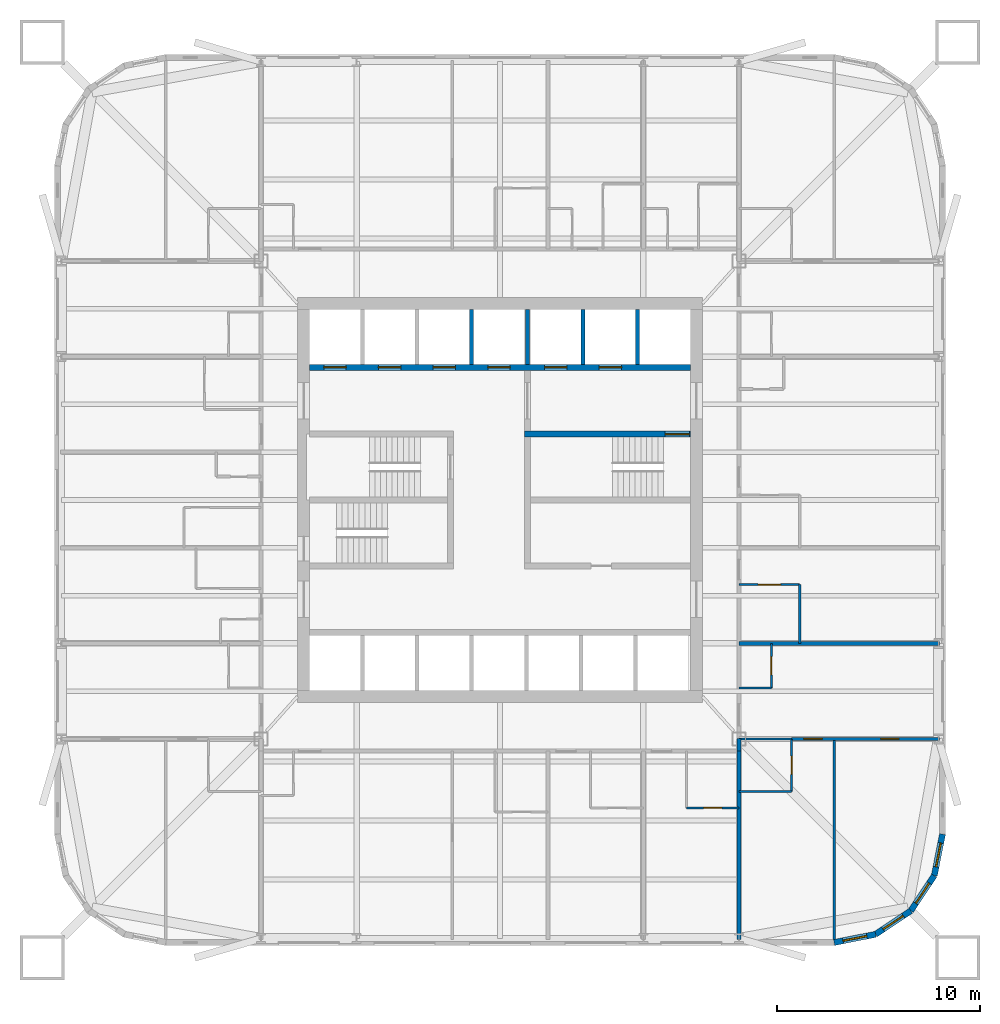
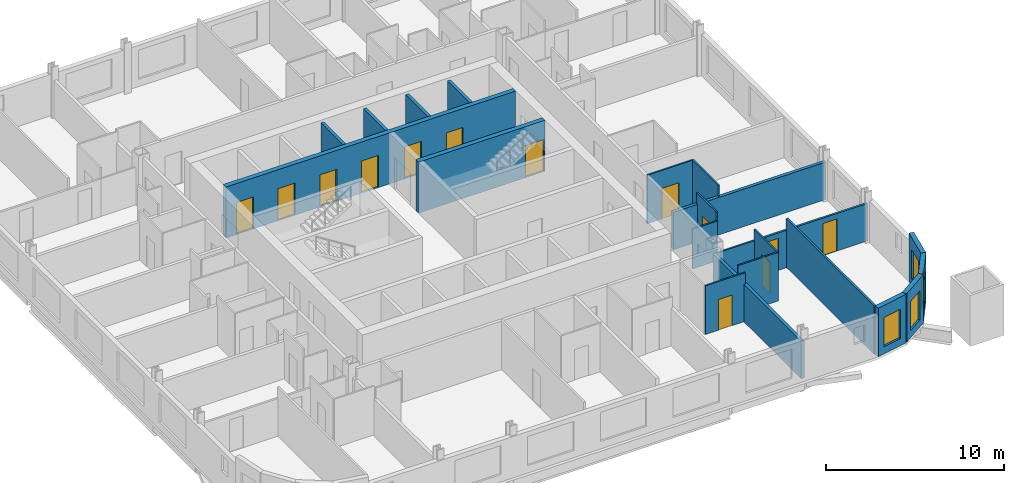
# One storey, part 5 of 9: 23 walls, 13 doors, 4 windows, 17 openings.
"""IFC4 building model written with IfcOpenShell, lengths in metres."""

from ifc_helpers import new_model, si_unit, direction, frame, frame_2d, origin, place, context, subcontext, project, spatial, rectangle, extrude, material, layer, layer_set, type_object, element, fill, save


model = new_model("IFC4")

# Units and contexts
model_context = context("Model", 3, precision=1e-05, world=origin(), true_north=direction((0.0, 1.0)))
body_context = subcontext(model_context, "Body", "Model", "MODEL_VIEW")
ifc_project = project(units=[si_unit("LENGTHUNIT", "METRE"), si_unit("AREAUNIT", "SQUARE_METRE"), si_unit("VOLUMEUNIT", "CUBIC_METRE"), si_unit("PLANEANGLEUNIT", "RADIAN"), si_unit("MASSUNIT", "GRAM", prefix="KILO")], contexts=[model_context])

# Site, building, storey
site_placement = place(None, origin())
site = spatial("IfcSite", under=ifc_project, at=site_placement, CompositionType="ELEMENT")
building_placement = place(site_placement, origin())
building = spatial("IfcBuilding", under=site, at=building_placement, Name="Turquesa Mirador Hotel Tower", CompositionType="ELEMENT")
storey_placement = place(building_placement, frame((0.0, 0.0, 35.5)))
storey = spatial("IfcBuildingStorey", under=building, at=storey_placement, Name="L08", CompositionType="ELEMENT", Elevation=35.5)

# Walls
ifc_material_1 = material(Name="Gypsum board on steel studs", Category="steel")
ifc_layer_1 = layer(ifc_material_1, 0.10009765625)
ifc_layer_set_1 = layer_set([ifc_layer_1], Name="BATHROOM WALL 100")
wall_type_1 = type_object("IfcWallType", Name="BATHROOM WALL 100", PredefinedType="PARTITIONING", material=ifc_layer_set_1)
wall_1_placement = place(storey_placement, frame((66.800048828125, 33.199951171875, 0.0), z_axis=(0.0, 0.0, 1.0), x_axis=(1.0, 0.0, 0.0)))
element("IfcWall", 1, at=wall_1_placement, inside=storey, type_object=wall_type_1, Name="Partition L08 003", PredefinedType="PARTITIONING", context=body_context, shape_type="SweptSolid", body=[
    extrude(rectangle(XDim=2.599853515625, YDim=0.10009765625, at=frame_2d((1.2998046875, 0.0))), origin(), (0.0, 0.0, 1.0), 2.572998046875),
])
wall_2_placement = place(storey_placement, frame((66.800048828125, 30.60009765625, 0.0), z_axis=(0.0, 0.0, 1.0), x_axis=(1.0, 0.0, 0.0)))
element("IfcWall", 2, at=wall_2_placement, inside=storey, type_object=wall_type_1, Name="Partition L08 008", PredefinedType="PARTITIONING", context=body_context, shape_type="SweptSolid", body=[
    extrude(rectangle(XDim=2.599853515625, YDim=0.10009765625, at=frame_2d((1.2998046875, 0.0))), origin(), (0.0, 0.0, 1.0), 3.330078125),
])

# Wall, opening, door
wall_3_placement = place(storey_placement, frame((64.199951171875, 29.800048828125, 0.0), z_axis=(0.0, 0.0, 1.0), x_axis=(1.0, 0.0, 0.0)))
wall_3 = element("IfcWall", 3, at=wall_3_placement, inside=storey, type_object=wall_type_1, Name="Partition L08 011", PredefinedType="PARTITIONING", context=body_context, shape_type="SweptSolid", body=[
    extrude(rectangle(XDim=2.60009765625, YDim=0.10009765625, at=frame_2d((1.300048828125, 0.0))), origin(), (0.0, 0.0, 1.0), 3.330078125),
])
opening_1_placement = place(wall_3_placement, frame((0.85009765625, 0.0, 0.0)))
opening_1 = element("IfcOpeningElement", 4, at=opening_1_placement, cuts=wall_3, Name="Opening D02", PredefinedType="OPENING", context=body_context, shape_type="SweptSolid", body=[
    extrude(rectangle(XDim=0.89990234375, YDim=2.10009765625, at=frame_2d((0.449951171875, 1.050048828125))), frame((0.0, 0.06005859375, 0.0), z_axis=(0.0, -1.0, 0.0), x_axis=(1.0, 0.0, 0.0)), (0.0, 0.0, 1.0), 0.1201171875),
])
ifc_material_2 = material(Name="Timber veneered door", Category="wood")
door_type_1 = type_object("IfcDoorType", Name="DOOR 900X2100 EN-SUITE", OperationType="SINGLE_SWING_RIGHT", PredefinedType="DOOR", material=ifc_material_2)
door_1_placement = place(opening_1_placement, origin())
door_1 = element("IfcDoor", 5, at=door_1_placement, inside=storey, type_object=door_type_1, Name="Door 0806B", OperationType="SINGLE_SWING_RIGHT", OverallHeight=2.10009765625, OverallWidth=0.89990234375, PredefinedType="DOOR", context=body_context, shape_type="SweptSolid", body=[
    extrude(rectangle(XDim=0.89990234375, YDim=2.10009765625, at=frame_2d((0.449951171875, 1.050048828125))), frame((0.0, 0.02490234375, 0.0), z_axis=(0.0, -1.0, 0.0), x_axis=(1.0, 0.0, 0.0)), (0.0, 0.0, 1.0), 0.050048828125),
])
fill(opening_1, door_1)

wall_4_placement = place(storey_placement, frame((66.800048828125, 40.820068359375, 0.0), z_axis=(0.0, 0.0, 1.0), x_axis=(1.0, 0.0, 0.0)))
wall_4 = element("IfcWall", 6, at=wall_4_placement, inside=storey, type_object=wall_type_1, Name="Partition L08 015", PredefinedType="PARTITIONING", context=body_context, shape_type="SweptSolid", body=[
    extrude(rectangle(XDim=3.0, YDim=0.10009765625, at=frame_2d((1.5, 0.0))), origin(), (0.0, 0.0, 1.0), 3.330078125),
])
opening_2_placement = place(wall_4_placement, frame((0.949951171875, 0.0, 0.0)))
opening_2 = element("IfcOpeningElement", 7, at=opening_2_placement, cuts=wall_4, Name="Opening D16", PredefinedType="OPENING", context=body_context, shape_type="SweptSolid", body=[
    extrude(rectangle(XDim=1.10009765625, YDim=2.10009765625, at=frame_2d((0.550048828125, 1.050048828125))), frame((0.0, 0.06005859375, 0.0), z_axis=(0.0, -1.0, 0.0), x_axis=(1.0, 0.0, 0.0)), (0.0, 0.0, 1.0), 0.1201171875),
])
ifc_material_3 = material(Name="Timber veneered sliding door", Category="wood")
door_type_2 = type_object("IfcDoorType", Name="DOOR 1100X2100 ACCESSIBLE EN-SUITE", OperationType="SLIDING_TO_LEFT", PredefinedType="DOOR", material=ifc_material_3)
door_2_placement = place(opening_2_placement, origin())
door_2 = element("IfcDoor", 8, at=door_2_placement, inside=storey, type_object=door_type_2, Name="Door 0807B", OperationType="SLIDING_TO_LEFT", OverallHeight=2.10009765625, OverallWidth=1.10009765625, PredefinedType="DOOR", context=body_context, shape_type="SweptSolid", body=[
    extrude(rectangle(XDim=1.10009765625, YDim=2.10009765625, at=frame_2d((0.550048828125, 1.050048828125))), frame((0.0, 0.02490234375, 0.0), z_axis=(0.0, -1.0, 0.0), x_axis=(1.0, 0.0, 0.0)), (0.0, 0.0, 1.0), 0.050048828125),
])
fill(opening_2, door_2)

# Wall
wall_5_placement = place(storey_placement, frame((66.800048828125, 35.719970703125, 0.0), z_axis=(0.0, 0.0, 1.0), x_axis=(1.0, 0.0, 0.0)))
element("IfcWall", 9, at=wall_5_placement, inside=storey, type_object=wall_type_1, Name="Partition L08 021", PredefinedType="PARTITIONING", context=body_context, shape_type="SweptSolid", body=[
    extrude(rectangle(XDim=1.599853515625, YDim=0.10009765625, at=frame_2d((0.7998046875, 0.0))), origin(), (0.0, 0.0, 1.0), 2.722900390625),
])

# Wall, opening, door
wall_6_placement = place(storey_placement, frame((68.39990234375, 35.719970703125, 0.0), z_axis=(0.0, 0.0, 1.0), x_axis=(0.0, 1.0, 0.0)))
wall_6 = element("IfcWall", 10, at=wall_6_placement, inside=storey, type_object=wall_type_1, Name="Partition L08 069", PredefinedType="PARTITIONING", context=body_context, shape_type="SweptSolid", body=[
    extrude(rectangle(XDim=2.199951171875, YDim=0.10009765625, at=frame_2d((1.10009765625, 0.0))), origin(), (0.0, 0.0, 1.0), 3.330078125),
])
opening_3_placement = place(wall_6_placement, frame((0.64990234375, 0.0, 0.0)))
opening_3 = element("IfcOpeningElement", 11, at=opening_3_placement, cuts=wall_6, Name="Opening D06", PredefinedType="OPENING", context=body_context, shape_type="SweptSolid", body=[
    extrude(rectangle(XDim=0.89990234375, YDim=2.10009765625, at=frame_2d((0.449951171875, 1.050048828125))), frame((0.0, 0.06005859375, 0.0), z_axis=(0.0, -1.0, 0.0), x_axis=(1.0, 0.0, 0.0)), (0.0, 0.0, 1.0), 0.1201171875),
])
ifc_material_4 = material(Name="Laminate door", Category="wood")
door_type_3 = type_object("IfcDoorType", Name="DOOR 900X2100 WC", OperationType="SINGLE_SWING_LEFT", PredefinedType="DOOR", material=ifc_material_4)
door_3_placement = place(opening_3_placement, origin())
door_3 = element("IfcDoor", 12, at=door_3_placement, inside=storey, type_object=door_type_3, Name="Door 0815W", OperationType="SINGLE_SWING_LEFT", OverallHeight=2.10009765625, OverallWidth=0.89990234375, PredefinedType="DOOR", context=body_context, shape_type="SweptSolid", body=[
    extrude(rectangle(XDim=0.89990234375, YDim=2.10009765625, at=frame_2d((0.449951171875, 1.050048828125))), frame((0.0, 0.02490234375, 0.0), z_axis=(0.0, -1.0, 0.0), x_axis=(1.0, 0.0, 0.0)), (0.0, 0.0, 1.0), 0.050048828125),
])
fill(opening_3, door_3)

wall_7_placement = place(storey_placement, frame((69.39990234375, 30.60009765625, 0.0), z_axis=(0.0, 0.0, 1.0), x_axis=(0.0, 1.0, 0.0)))
wall_7 = element("IfcWall", 13, at=wall_7_placement, inside=storey, type_object=wall_type_1, Name="Partition L08 072", PredefinedType="PARTITIONING", context=body_context, shape_type="SweptSolid", body=[
    extrude(rectangle(XDim=2.599853515625, YDim=0.10009765625, at=frame_2d((1.2998046875, 0.0))), origin(), (0.0, 0.0, 1.0), 3.330078125),
])
opening_4_placement = place(wall_7_placement, frame((0.85009765625, 0.0, 0.0)))
opening_4 = element("IfcOpeningElement", 14, at=opening_4_placement, cuts=wall_7, Name="Opening D02", PredefinedType="OPENING", context=body_context, shape_type="SweptSolid", body=[
    extrude(rectangle(XDim=0.89990234375, YDim=2.10009765625, at=frame_2d((0.449951171875, 1.050048828125))), frame((0.0, 0.06005859375, 0.0), z_axis=(0.0, -1.0, 0.0), x_axis=(1.0, 0.0, 0.0)), (0.0, 0.0, 1.0), 0.1201171875),
])
door_4_placement = place(opening_4_placement, origin())
door_4 = element("IfcDoor", 15, at=door_4_placement, inside=storey, type_object=door_type_1, Name="Door 0815B", OperationType="SINGLE_SWING_RIGHT", OverallHeight=2.10009765625, OverallWidth=0.89990234375, PredefinedType="DOOR", context=body_context, shape_type="SweptSolid", body=[
    extrude(rectangle(XDim=0.89990234375, YDim=2.10009765625, at=frame_2d((0.449951171875, 1.050048828125))), frame((0.0, 0.02490234375, 0.0), z_axis=(0.0, -1.0, 0.0), x_axis=(1.0, 0.0, 0.0)), (0.0, 0.0, 1.0), 0.050048828125),
])
fill(opening_4, door_4)

# Wall
wall_8_placement = place(storey_placement, frame((69.800048828125, 37.919921875, 0.0), z_axis=(0.0, 0.0, 1.0), x_axis=(0.0, 1.0, 0.0)))
element("IfcWall", 16, at=wall_8_placement, inside=storey, type_object=wall_type_1, Name="Partition L08 074", PredefinedType="PARTITIONING", context=body_context, shape_type="SweptSolid", body=[
    extrude(rectangle(XDim=2.900146484375, YDim=0.10009765625, at=frame_2d((1.4501953125, 0.0))), origin(), (0.0, 0.0, 1.0), 3.330078125),
])

# Wall, openings, doors
ifc_material_5 = material(Name="Concrete C50/60", Category="concrete")
ifc_layer_2 = layer(ifc_material_5, 0.300048828125)
ifc_layer_set_2 = layer_set([ifc_layer_2], Name="CORE INNER WALL 300")
wall_type_2 = type_object("IfcWallType", Name="CORE INNER WALL 300", PredefinedType="SHEAR", material=ifc_layer_set_2)
wall_9_placement = place(storey_placement, frame((45.60009765625, 51.550048828125, 0.0), z_axis=(0.0, 0.0, 1.0), x_axis=(1.0, 0.0, 0.0)))
wall_9 = element("IfcWall", 17, at=wall_9_placement, inside=storey, type_object=wall_type_2, Name="Core wall NL", PredefinedType="SHEAR", context=body_context, shape_type="SweptSolid", body=[
    extrude(rectangle(XDim=18.7998046875, YDim=0.300048828125, at=frame_2d((9.39990234375, 0.0))), origin(), (0.0, 0.0, 1.0), 3.5),
])
opening_5_placement = place(wall_9_placement, frame((0.699951171875, 0.0, 0.0)))
opening_5 = element("IfcOpeningElement", 18, at=opening_5_placement, cuts=wall_9, Name="Opening LD", PredefinedType="OPENING", context=body_context, shape_type="SweptSolid", body=[
    extrude(rectangle(XDim=1.10009765625, YDim=2.199951171875, at=frame_2d((0.550048828125, 1.10009765625))), frame((0.0, 0.159912109375, 0.0), z_axis=(0.0, -1.0, 0.0), x_axis=(1.0, 0.0, 0.0)), (0.0, 0.0, 1.0), 0.320068359375),
])
opening_6_placement = place(wall_9_placement, frame((3.39990234375, 0.0, 0.0)))
opening_6 = element("IfcOpeningElement", 19, at=opening_6_placement, cuts=wall_9, Name="Opening LD", PredefinedType="OPENING", context=body_context, shape_type="SweptSolid", body=[
    extrude(rectangle(XDim=1.10009765625, YDim=2.199951171875, at=frame_2d((0.550048828125, 1.10009765625))), frame((0.0, 0.159912109375, 0.0), z_axis=(0.0, -1.0, 0.0), x_axis=(1.0, 0.0, 0.0)), (0.0, 0.0, 1.0), 0.320068359375),
])
opening_7_placement = place(wall_9_placement, frame((6.10009765625, 0.0, 0.0)))
opening_7 = element("IfcOpeningElement", 20, at=opening_7_placement, cuts=wall_9, Name="Opening LD", PredefinedType="OPENING", context=body_context, shape_type="SweptSolid", body=[
    extrude(rectangle(XDim=1.10009765625, YDim=2.199951171875, at=frame_2d((0.550048828125, 1.10009765625))), frame((0.0, 0.159912109375, 0.0), z_axis=(0.0, -1.0, 0.0), x_axis=(1.0, 0.0, 0.0)), (0.0, 0.0, 1.0), 0.320068359375),
])
opening_8_placement = place(wall_9_placement, frame((8.800048828125, 0.0, 0.0)))
opening_8 = element("IfcOpeningElement", 21, at=opening_8_placement, cuts=wall_9, Name="Opening LD", PredefinedType="OPENING", context=body_context, shape_type="SweptSolid", body=[
    extrude(rectangle(XDim=1.10009765625, YDim=2.199951171875, at=frame_2d((0.550048828125, 1.10009765625))), frame((0.0, 0.159912109375, 0.0), z_axis=(0.0, -1.0, 0.0), x_axis=(1.0, 0.0, 0.0)), (0.0, 0.0, 1.0), 0.320068359375),
])
opening_9_placement = place(wall_9_placement, frame((11.60009765625, 0.0, 0.0)))
opening_9 = element("IfcOpeningElement", 22, at=opening_9_placement, cuts=wall_9, Name="Opening LD", PredefinedType="OPENING", context=body_context, shape_type="SweptSolid", body=[
    extrude(rectangle(XDim=1.10009765625, YDim=2.199951171875, at=frame_2d((0.550048828125, 1.10009765625))), frame((0.0, 0.159912109375, 0.0), z_axis=(0.0, -1.0, 0.0), x_axis=(1.0, 0.0, 0.0)), (0.0, 0.0, 1.0), 0.320068359375),
])
opening_10_placement = place(wall_9_placement, frame((14.300048828125, 0.0, 0.0)))
opening_10 = element("IfcOpeningElement", 23, at=opening_10_placement, cuts=wall_9, Name="Opening LD", PredefinedType="OPENING", context=body_context, shape_type="SweptSolid", body=[
    extrude(rectangle(XDim=1.10009765625, YDim=2.199951171875, at=frame_2d((0.550048828125, 1.10009765625))), frame((0.0, 0.159912109375, 0.0), z_axis=(0.0, -1.0, 0.0), x_axis=(1.0, 0.0, 0.0)), (0.0, 0.0, 1.0), 0.320068359375),
])
ifc_material_6 = material(Name="Stainless steel lift landing door", Category="steel")
door_type_4 = type_object("IfcDoorType", Name="LIFT LANDING DOOR 1100X2200", OperationType="SLIDING_TO_LEFT", PredefinedType="DOOR", material=ifc_material_6)
door_5_placement = place(opening_5_placement, origin())
door_5 = element("IfcDoor", 24, at=door_5_placement, inside=storey, type_object=door_type_4, Name="Lift A1 landing door", OperationType="SLIDING_TO_LEFT", OverallHeight=2.199951171875, OverallWidth=1.10009765625, PredefinedType="DOOR", context=body_context, shape_type="SweptSolid", body=[
    extrude(rectangle(XDim=1.10009765625, YDim=2.199951171875, at=frame_2d((0.550048828125, 1.10009765625))), frame((0.0, 0.02490234375, 0.0), z_axis=(0.0, -1.0, 0.0), x_axis=(1.0, 0.0, 0.0)), (0.0, 0.0, 1.0), 0.050048828125),
])
fill(opening_5, door_5)
door_6_placement = place(opening_6_placement, origin())
door_6 = element("IfcDoor", 25, at=door_6_placement, inside=storey, type_object=door_type_4, Name="Lift A2 landing door", OperationType="SLIDING_TO_LEFT", OverallHeight=2.199951171875, OverallWidth=1.10009765625, PredefinedType="DOOR", context=body_context, shape_type="SweptSolid", body=[
    extrude(rectangle(XDim=1.10009765625, YDim=2.199951171875, at=frame_2d((0.550048828125, 1.10009765625))), frame((0.0, 0.02490234375, 0.0), z_axis=(0.0, -1.0, 0.0), x_axis=(1.0, 0.0, 0.0)), (0.0, 0.0, 1.0), 0.050048828125),
])
fill(opening_6, door_6)
door_7_placement = place(opening_7_placement, origin())
door_7 = element("IfcDoor", 26, at=door_7_placement, inside=storey, type_object=door_type_4, Name="Lift A3 landing door", OperationType="SLIDING_TO_LEFT", OverallHeight=2.199951171875, OverallWidth=1.10009765625, PredefinedType="DOOR", context=body_context, shape_type="SweptSolid", body=[
    extrude(rectangle(XDim=1.10009765625, YDim=2.199951171875, at=frame_2d((0.550048828125, 1.10009765625))), frame((0.0, 0.02490234375, 0.0), z_axis=(0.0, -1.0, 0.0), x_axis=(1.0, 0.0, 0.0)), (0.0, 0.0, 1.0), 0.050048828125),
])
fill(opening_7, door_7)
door_8_placement = place(opening_8_placement, origin())
door_8 = element("IfcDoor", 27, at=door_8_placement, inside=storey, type_object=door_type_4, Name="Lift A4 landing door", OperationType="SLIDING_TO_LEFT", OverallHeight=2.199951171875, OverallWidth=1.10009765625, PredefinedType="DOOR", context=body_context, shape_type="SweptSolid", body=[
    extrude(rectangle(XDim=1.10009765625, YDim=2.199951171875, at=frame_2d((0.550048828125, 1.10009765625))), frame((0.0, 0.02490234375, 0.0), z_axis=(0.0, -1.0, 0.0), x_axis=(1.0, 0.0, 0.0)), (0.0, 0.0, 1.0), 0.050048828125),
])
fill(opening_8, door_8)
door_9_placement = place(opening_9_placement, origin())
door_9 = element("IfcDoor", 28, at=door_9_placement, inside=storey, type_object=door_type_4, Name="Lift S1 landing door", OperationType="SLIDING_TO_LEFT", OverallHeight=2.199951171875, OverallWidth=1.10009765625, PredefinedType="DOOR", context=body_context, shape_type="SweptSolid", body=[
    extrude(rectangle(XDim=1.10009765625, YDim=2.199951171875, at=frame_2d((0.550048828125, 1.10009765625))), frame((0.0, 0.02490234375, 0.0), z_axis=(0.0, -1.0, 0.0), x_axis=(1.0, 0.0, 0.0)), (0.0, 0.0, 1.0), 0.050048828125),
])
fill(opening_9, door_9)
door_10_placement = place(opening_10_placement, origin())
door_10 = element("IfcDoor", 29, at=door_10_placement, inside=storey, type_object=door_type_4, Name="Lift S2 landing door", OperationType="SLIDING_TO_LEFT", OverallHeight=2.199951171875, OverallWidth=1.10009765625, PredefinedType="DOOR", context=body_context, shape_type="SweptSolid", body=[
    extrude(rectangle(XDim=1.10009765625, YDim=2.199951171875, at=frame_2d((0.550048828125, 1.10009765625))), frame((0.0, 0.02490234375, 0.0), z_axis=(0.0, -1.0, 0.0), x_axis=(1.0, 0.0, 0.0)), (0.0, 0.0, 1.0), 0.050048828125),
])
fill(opening_10, door_10)

# Wall, opening, door
wall_10_placement = place(storey_placement, frame((56.199951171875, 48.25, 0.0), z_axis=(0.0, 0.0, 1.0), x_axis=(1.0, 0.0, 0.0)))
wall_10 = element("IfcWall", 30, at=wall_10_placement, inside=storey, type_object=wall_type_2, Name="Core wall MN-E", PredefinedType="SHEAR", context=body_context, shape_type="SweptSolid", body=[
    extrude(rectangle(XDim=8.199951171875, YDim=0.300048828125, at=frame_2d((4.10009765625, 0.0))), origin(), (0.0, 0.0, 1.0), 3.5),
])
opening_11_placement = place(wall_10_placement, frame((6.949951171875, 0.0, 0.0)))
opening_11 = element("IfcOpeningElement", 31, at=opening_11_placement, cuts=wall_10, Name="Opening D03", PredefinedType="OPENING", context=body_context, shape_type="SweptSolid", body=[
    extrude(rectangle(XDim=1.199951171875, YDim=2.199951171875, at=frame_2d((0.60009765625, 1.10009765625))), frame((0.0, 0.159912109375, 0.0), z_axis=(0.0, -1.0, 0.0), x_axis=(1.0, 0.0, 0.0)), (0.0, 0.0, 1.0), 0.320068359375),
])
ifc_material_7 = material(Name="Steel fire door", Category="steel")
door_type_5 = type_object("IfcDoorType", Name="DOOR 1200X2200 STAIR", OperationType="SINGLE_SWING_LEFT", PredefinedType="DOOR", material=ifc_material_7)
door_11_placement = place(opening_11_placement, origin())
door_11 = element("IfcDoor", 32, at=door_11_placement, inside=storey, type_object=door_type_5, Name="Stair ST3 door", OperationType="SINGLE_SWING_LEFT", OverallHeight=2.199951171875, OverallWidth=1.199951171875, PredefinedType="DOOR", context=body_context, shape_type="SweptSolid", body=[
    extrude(rectangle(XDim=1.199951171875, YDim=2.199951171875, at=frame_2d((0.60009765625, 1.10009765625))), frame((0.0, 0.02490234375, 0.0), z_axis=(0.0, -1.0, 0.0), x_axis=(1.0, 0.0, 0.0)), (0.0, 0.0, 1.0), 0.050048828125),
])
fill(opening_11, door_11)

# Wall
ifc_material_8 = material(Name="Fire-rated gypsum board on steel studs", Category="steel")
ifc_layer_3 = layer(ifc_material_8, 0.199951171875)
ifc_layer_set_3 = layer_set([ifc_layer_3], Name="CORRIDOR WALL 200")
wall_type_3 = type_object("IfcWallType", Name="CORRIDOR WALL 200", PredefinedType="PARTITIONING", material=ifc_layer_set_3)
wall_11_placement = place(storey_placement, frame((66.800048828125, 32.60009765625, 0.0), z_axis=(0.0, 0.0, 1.0), x_axis=(0.0, 1.0, 0.0)))
element("IfcWall", 33, at=wall_11_placement, inside=storey, type_object=wall_type_3, Name="Partition L08 090", PredefinedType="PARTITIONING", context=body_context, shape_type="SweptSolid", body=[
    extrude(rectangle(XDim=0.619873046875, YDim=0.199951171875, at=frame_2d((0.31005859375, 0.0))), origin(), (0.0, 0.0, 1.0), 2.572998046875),
])

# Wall, opening, window
ifc_material_9 = material(Name="Limestone cladding on concrete block", Category="masonry")
ifc_layer_4 = layer(ifc_material_9, 0.300048828125)
ifc_layer_set_4 = layer_set([ifc_layer_4], Name="FACADE WALL 300 STONE SCREEN")
wall_type_4 = type_object("IfcWallType", Name="FACADE WALL 300 STONE SCREEN", PredefinedType="SOLIDWALL", material=ifc_layer_set_4)
wall_12_placement = place(storey_placement, frame((71.5, 23.14990234375, 0.0), z_axis=(0.0, 0.0, 1.0), x_axis=(0.980787050784, 0.195081421501, 0.0)))
wall_12 = element("IfcWall", 34, at=wall_12_placement, inside=storey, type_object=wall_type_4, Name="Facade wall L08 00", PredefinedType="SOLIDWALL", context=body_context, shape_type="SweptSolid", body=[
    extrude(rectangle(XDim=2.08740234375, YDim=0.300048828125, at=frame_2d((1.043701171875, 0.0))), origin(), (0.0, 0.0, 1.0), 3.330078125),
])
opening_12_placement = place(wall_12_placement, frame((0.443603515625, 0.0, 0.5)))
opening_12 = element("IfcOpeningElement", 35, at=opening_12_placement, cuts=wall_12, Name="Opening WN4", PredefinedType="OPENING", context=body_context, shape_type="SweptSolid", body=[
    extrude(rectangle(XDim=1.199951171875, YDim=2.0, at=frame_2d((0.60009765625, 1.0))), frame((0.0, 0.159912109375, 0.0), z_axis=(0.0, -1.0, 0.0), x_axis=(1.0, 0.0, 0.0)), (0.0, 0.0, 1.0), 0.320068359375),
])
ifc_material_10 = material(Name="Ceramic-fritted laminated glass", Category="glass")
window_type = type_object("IfcWindowType", Name="FRITTED CORNER WINDOW 1200X2000", PartitioningType="DOUBLE_PANEL_HORIZONTAL", PredefinedType="WINDOW", material=ifc_material_10)
window_1_placement = place(opening_12_placement, origin())
window_1 = element("IfcWindow", 36, at=window_1_placement, inside=storey, type_object=window_type, Name="Window L08", OverallHeight=2.0, OverallWidth=1.199951171875, PartitioningType="SINGLE_PANEL", PredefinedType="WINDOW", context=body_context, shape_type="SweptSolid", body=[
    extrude(rectangle(XDim=1.199951171875, YDim=2.0, at=frame_2d((0.60009765625, 1.0))), frame((0.0, 0.030029296875, 0.0), z_axis=(0.0, -1.0, 0.0), x_axis=(1.0, 0.0, 0.0)), (0.0, 0.0, 1.0), 0.06005859375),
])
fill(opening_12, window_1)

wall_13_placement = place(storey_placement, frame((73.54736328125, 23.55712890625, 0.0), z_axis=(0.0, 0.0, 1.0), x_axis=(0.831420010345, 0.555644460423, 0.0)))
wall_13 = element("IfcWall", 37, at=wall_13_placement, inside=storey, type_object=wall_type_4, Name="Facade wall L08 01", PredefinedType="SOLIDWALL", context=body_context, shape_type="SweptSolid", body=[
    extrude(rectangle(XDim=2.08740234375, YDim=0.300048828125, at=frame_2d((1.043701171875, 0.0))), origin(), (0.0, 0.0, 1.0), 3.330078125),
])
opening_13_placement = place(wall_13_placement, frame((0.443603515625, 0.0, 0.5)))
opening_13 = element("IfcOpeningElement", 38, at=opening_13_placement, cuts=wall_13, Name="Opening WN4", PredefinedType="OPENING", context=body_context, shape_type="SweptSolid", body=[
    extrude(rectangle(XDim=1.199951171875, YDim=2.0, at=frame_2d((0.60009765625, 1.0))), frame((0.0, 0.159912109375, 0.0), z_axis=(0.0, -1.0, 0.0), x_axis=(1.0, 0.0, 0.0)), (0.0, 0.0, 1.0), 0.320068359375),
])
window_2_placement = place(opening_13_placement, origin())
window_2 = element("IfcWindow", 39, at=window_2_placement, inside=storey, type_object=window_type, Name="Window L08", OverallHeight=2.0, OverallWidth=1.199951171875, PartitioningType="SINGLE_PANEL", PredefinedType="WINDOW", context=body_context, shape_type="SweptSolid", body=[
    extrude(rectangle(XDim=1.199951171875, YDim=2.0, at=frame_2d((0.60009765625, 1.0))), frame((0.0, 0.030029296875, 0.0), z_axis=(0.0, -1.0, 0.0), x_axis=(1.0, 0.0, 0.0)), (0.0, 0.0, 1.0), 0.06005859375),
])
fill(opening_13, window_2)

wall_14_placement = place(storey_placement, frame((75.282958984375, 24.717041015625, 0.0), z_axis=(0.0, 0.0, 1.0), x_axis=(0.555644460423, 0.831420010345, 0.0)))
wall_14 = element("IfcWall", 40, at=wall_14_placement, inside=storey, type_object=wall_type_4, Name="Facade wall L08 02", PredefinedType="SOLIDWALL", context=body_context, shape_type="SweptSolid", body=[
    extrude(rectangle(XDim=2.08740234375, YDim=0.300048828125, at=frame_2d((1.043701171875, 0.0))), origin(), (0.0, 0.0, 1.0), 3.330078125),
])
opening_14_placement = place(wall_14_placement, frame((0.443603515625, 0.0, 0.5)))
opening_14 = element("IfcOpeningElement", 41, at=opening_14_placement, cuts=wall_14, Name="Opening WN4", PredefinedType="OPENING", context=body_context, shape_type="SweptSolid", body=[
    extrude(rectangle(XDim=1.199951171875, YDim=2.0, at=frame_2d((0.60009765625, 1.0))), frame((0.0, 0.159912109375, 0.0), z_axis=(0.0, -1.0, 0.0), x_axis=(1.0, 0.0, 0.0)), (0.0, 0.0, 1.0), 0.320068359375),
])
window_3_placement = place(opening_14_placement, origin())
window_3 = element("IfcWindow", 42, at=window_3_placement, inside=storey, type_object=window_type, Name="Window L08", OverallHeight=2.0, OverallWidth=1.199951171875, PartitioningType="SINGLE_PANEL", PredefinedType="WINDOW", context=body_context, shape_type="SweptSolid", body=[
    extrude(rectangle(XDim=1.199951171875, YDim=2.0, at=frame_2d((0.60009765625, 1.0))), frame((0.0, 0.030029296875, 0.0), z_axis=(0.0, -1.0, 0.0), x_axis=(1.0, 0.0, 0.0)), (0.0, 0.0, 1.0), 0.06005859375),
])
fill(opening_14, window_3)

wall_15_placement = place(storey_placement, frame((76.44287109375, 26.45263671875, 0.0), z_axis=(0.0, 0.0, 1.0), x_axis=(0.195081421501, 0.980787050784, 0.0)))
wall_15 = element("IfcWall", 43, at=wall_15_placement, inside=storey, type_object=wall_type_4, Name="Facade wall L08 03", PredefinedType="SOLIDWALL", context=body_context, shape_type="SweptSolid", body=[
    extrude(rectangle(XDim=2.08740234375, YDim=0.300048828125, at=frame_2d((1.043701171875, 0.0))), origin(), (0.0, 0.0, 1.0), 3.330078125),
])
opening_15_placement = place(wall_15_placement, frame((0.443603515625, 0.0, 0.5)))
opening_15 = element("IfcOpeningElement", 44, at=opening_15_placement, cuts=wall_15, Name="Opening WN4", PredefinedType="OPENING", context=body_context, shape_type="SweptSolid", body=[
    extrude(rectangle(XDim=1.199951171875, YDim=2.0, at=frame_2d((0.60009765625, 1.0))), frame((0.0, 0.159912109375, 0.0), z_axis=(0.0, -1.0, 0.0), x_axis=(1.0, 0.0, 0.0)), (0.0, 0.0, 1.0), 0.320068359375),
])
window_4_placement = place(opening_15_placement, origin())
window_4 = element("IfcWindow", 45, at=window_4_placement, inside=storey, type_object=window_type, Name="Window L08", OverallHeight=2.0, OverallWidth=1.199951171875, PartitioningType="SINGLE_PANEL", PredefinedType="WINDOW", context=body_context, shape_type="SweptSolid", body=[
    extrude(rectangle(XDim=1.199951171875, YDim=2.0, at=frame_2d((0.60009765625, 1.0))), frame((0.0, 0.030029296875, 0.0), z_axis=(0.0, -1.0, 0.0), x_axis=(1.0, 0.0, 0.0)), (0.0, 0.0, 1.0), 0.06005859375),
])
fill(opening_15, window_4)

# Walls
ifc_material_11 = material(Name="Fire-rated gypsum shaft wall on steel studs", Category="steel")
ifc_layer_5 = layer(ifc_material_11, 0.199951171875)
ifc_layer_set_5 = layer_set([ifc_layer_5], Name="LIFT SHAFT DIVIDER 200")
wall_type_5 = type_object("IfcWallType", Name="LIFT SHAFT DIVIDER 200", PredefinedType="PARTITIONING", material=ifc_layer_set_5)
for number, where, z_axis, x_axis, name in (
    (46, (53.60009765625, 51.699951171875, 0.0), (0.0, 0.0, 1.0), (0.0, 1.0, 0.0), "Lift shaft divider"),
    (47, (59.10009765625, 51.699951171875, 0.0), (0.0, 0.0, 1.0), (0.0, 1.0, 0.0), "Lift shaft divider"),
    (48, (61.800048828125, 51.699951171875, 0.0), (0.0, 0.0, 1.0), (0.0, 1.0, 0.0), "Lift shaft divider"),
    (49, (56.35009765625, 51.699951171875, 0.0), (0.0, 0.0, 1.0), (0.0, 1.0, 0.0), "Lift shaft divider"),
):
    element("IfcWall", number, at=place(storey_placement, frame(where, z_axis=z_axis, x_axis=x_axis)), inside=storey, type_object=wall_type_5, Name=name, PredefinedType="PARTITIONING", context=body_context, shape_type="SweptSolid", body=[
        extrude(rectangle(XDim=2.699951171875, YDim=0.199951171875, at=frame_2d((1.35009765625, 0.0))), origin(), (0.0, 0.0, 1.0), 3.330078125),
    ])
ifc_material_12 = material(Name="Fire-rated gypsum board on steel studs", Category="steel")
ifc_layer_6 = layer(ifc_material_12, 0.199951171875)
ifc_layer_set_6 = layer_set([ifc_layer_6], Name="PARTY WALL 200")
wall_type_6 = type_object("IfcWallType", Name="PARTY WALL 200", PredefinedType="PARTITIONING", material=ifc_layer_set_6)
wall_16_placement = place(storey_placement, frame((66.800048828125, 37.919921875, 0.0), z_axis=(0.0, 0.0, 1.0), x_axis=(1.0, 0.0, 0.0)))
element("IfcWall", 50, at=wall_16_placement, inside=storey, type_object=wall_type_6, Name="Partition L08 019", PredefinedType="PARTITIONING", context=body_context, shape_type="SweptSolid", body=[
    extrude(rectangle(XDim=9.89990234375, YDim=0.199951171875, at=frame_2d((4.949951171875, 0.0))), origin(), (0.0, 0.0, 1.0), 2.572998046875),
])
wall_17_placement = place(storey_placement, frame((66.800048828125, 23.300048828125, 0.0), z_axis=(0.0, 0.0, 1.0), x_axis=(0.0, 1.0, 0.0)))
element("IfcWall", 51, at=wall_17_placement, inside=storey, type_object=wall_type_6, Name="Partition L08 067", PredefinedType="PARTITIONING", context=body_context, shape_type="SweptSolid", body=[
    extrude(rectangle(XDim=9.300048828125, YDim=0.199951171875, at=frame_2d((4.64990234375, 0.0))), origin(), (0.0, 0.0, 1.0), 2.572998046875),
])

# Wall, openings, doors
ifc_material_13 = material(Name="Acoustic gypsum board on steel studs", Category="steel")
ifc_layer_7 = layer(ifc_material_13, 0.125)
ifc_layer_set_7 = layer_set([ifc_layer_7], Name="SUITE PARTITION 125")
wall_type_7 = type_object("IfcWallType", Name="SUITE PARTITION 125", PredefinedType="PARTITIONING", material=ifc_layer_set_7)
wall_18_placement = place(storey_placement, frame((69.39990234375, 33.199951171875, 0.0), z_axis=(0.0, 0.0, 1.0), x_axis=(1.0, 0.0, 0.0)))
wall_18 = element("IfcWall", 52, at=wall_18_placement, inside=storey, type_object=wall_type_7, Name="Partition L08 005", PredefinedType="PARTITIONING", context=body_context, shape_type="SweptSolid", body=[
    extrude(rectangle(XDim=7.300048828125, YDim=0.125, at=frame_2d((3.64990234375, 0.0))), origin(), (0.0, 0.0, 1.0), 2.572998046875),
])
opening_16_placement = place(wall_18_placement, frame((0.60009765625, 0.0, 0.0)))
opening_16 = element("IfcOpeningElement", 53, at=opening_16_placement, cuts=wall_18, Name="Opening D17", PredefinedType="OPENING", context=body_context, shape_type="SweptSolid", body=[
    extrude(rectangle(XDim=0.89990234375, YDim=2.199951171875, at=frame_2d((0.449951171875, 1.10009765625))), frame((0.0, 0.072509765625, 0.0), z_axis=(0.0, -1.0, 0.0), x_axis=(1.0, 0.0, 0.0)), (0.0, 0.0, 1.0), 0.14501953125),
])
opening_17_placement = place(wall_18_placement, frame((4.39990234375, 0.0, 0.0)))
opening_17 = element("IfcOpeningElement", 54, at=opening_17_placement, cuts=wall_18, Name="Opening D17", PredefinedType="OPENING", context=body_context, shape_type="SweptSolid", body=[
    extrude(rectangle(XDim=0.89990234375, YDim=2.199951171875, at=frame_2d((0.449951171875, 1.10009765625))), frame((0.0, 0.072509765625, 0.0), z_axis=(0.0, -1.0, 0.0), x_axis=(1.0, 0.0, 0.0)), (0.0, 0.0, 1.0), 0.14501953125),
])
ifc_material_14 = material(Name="Timber veneered door", Category="wood")
door_type_6 = type_object("IfcDoorType", Name="DOOR 900X2200 SUITE INTERNAL", OperationType="SINGLE_SWING_LEFT", PredefinedType="DOOR", material=ifc_material_14)
door_12_placement = place(opening_16_placement, origin())
door_12 = element("IfcDoor", 55, at=door_12_placement, inside=storey, type_object=door_type_6, Name="Door 0815R", OperationType="SINGLE_SWING_LEFT", OverallHeight=2.199951171875, OverallWidth=0.89990234375, PredefinedType="DOOR", context=body_context, shape_type="SweptSolid", body=[
    extrude(rectangle(XDim=0.89990234375, YDim=2.199951171875, at=frame_2d((0.449951171875, 1.10009765625))), frame((0.0, 0.02490234375, 0.0), z_axis=(0.0, -1.0, 0.0), x_axis=(1.0, 0.0, 0.0)), (0.0, 0.0, 1.0), 0.050048828125),
])
fill(opening_16, door_12)
door_13_placement = place(opening_17_placement, origin())
door_13 = element("IfcDoor", 56, at=door_13_placement, inside=storey, type_object=door_type_6, Name="Door 0815S", OperationType="SINGLE_SWING_LEFT", OverallHeight=2.199951171875, OverallWidth=0.89990234375, PredefinedType="DOOR", context=body_context, shape_type="SweptSolid", body=[
    extrude(rectangle(XDim=0.89990234375, YDim=2.199951171875, at=frame_2d((0.449951171875, 1.10009765625))), frame((0.0, 0.02490234375, 0.0), z_axis=(0.0, -1.0, 0.0), x_axis=(1.0, 0.0, 0.0)), (0.0, 0.0, 1.0), 0.050048828125),
])
fill(opening_17, door_13)

# Wall
wall_19_placement = place(storey_placement, frame((71.5, 23.305908203125, 0.0), z_axis=(0.0, 0.0, 1.0), x_axis=(0.0, 1.0, 0.0)))
element("IfcWall", 57, at=wall_19_placement, inside=storey, type_object=wall_type_7, Name="Partition L08 076", PredefinedType="PARTITIONING", context=body_context, shape_type="SweptSolid", body=[
    extrude(rectangle(XDim=9.89404296875, YDim=0.125, at=frame_2d((4.947021484375, 0.0))), origin(), (0.0, 0.0, 1.0), 3.330078125),
])

save(model, "model.ifc")
